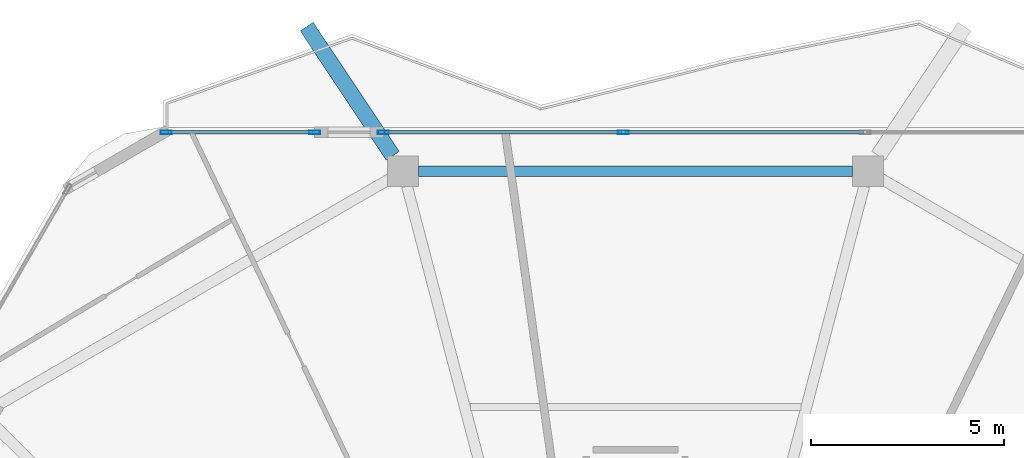
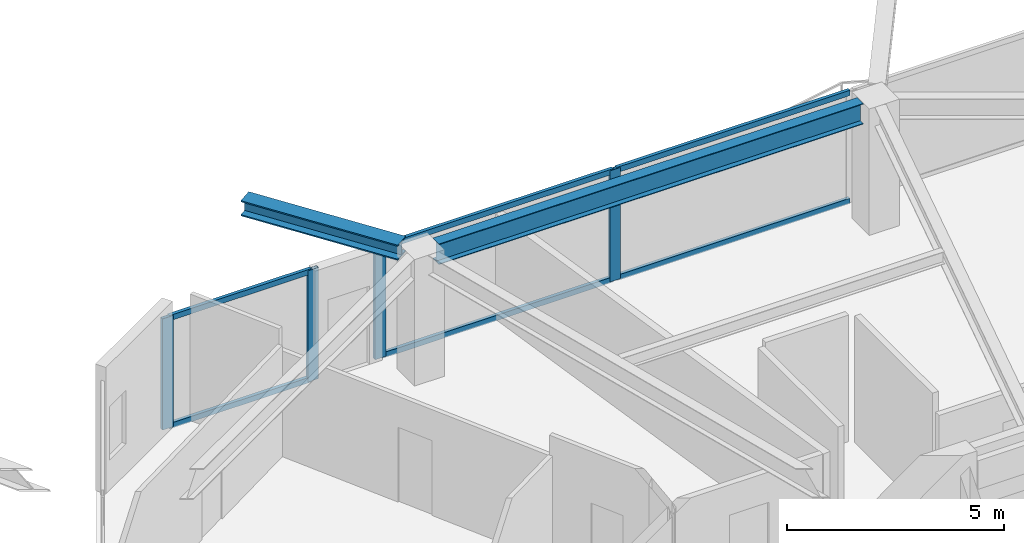
# One storey, part 10 of 20: 10 members, 2 beams, 2 elements without a shape of their own.
"""IFC4 building model written with IfcOpenShell, lengths in metres."""

from ifc_helpers import new_model, si_unit, direction, frame, origin, origin_2d, place, context, subcontext, project, spatial, hollow_rectangle, i_section, extrude, material, material_profile, profile_set, type_object, element, aggregate, save


model = new_model("IFC4")

# Units and contexts
model_context = context("Model", 3, precision=1e-05, world=origin(), true_north=direction((0.0, 1.0)))
body_context = subcontext(model_context, "Body", "Model", "MODEL_VIEW")
ifc_project = project(units=[si_unit("LENGTHUNIT", "METRE"), si_unit("AREAUNIT", "SQUARE_METRE"), si_unit("VOLUMEUNIT", "CUBIC_METRE"), si_unit("PLANEANGLEUNIT", "RADIAN"), si_unit("MASSUNIT", "GRAM", prefix="KILO")], contexts=[model_context])

# Site, building, storey
site_placement = place(None, origin())
site = spatial("IfcSite", under=ifc_project, at=site_placement, CompositionType="ELEMENT")
building_placement = place(site_placement, origin())
building = spatial("IfcBuilding", under=site, at=building_placement, Name="Zuhravey Tower", CompositionType="ELEMENT")
storey_placement = place(building_placement, frame((0.0, 0.0, 312.0)))
storey = spatial("IfcBuildingStorey", under=building, at=storey_placement, Name="L79", CompositionType="ELEMENT", Elevation=312.0)

# Curtain wall, members
ifc_material_1 = material(Name="Thermally broken anodised aluminium", Category="aluminium")
curtain_wall_type = type_object("IfcCurtainWallType", Name="Zone 3-4 High-Rise Curtain Wall CW4", PredefinedType="NOTDEFINED", material=ifc_material_1)
curtain_wall_1_placement = place(storey_placement, origin())
curtain_wall_1 = element("IfcCurtainWall", 1, at=curtain_wall_1_placement, inside=storey, type_object=curtain_wall_type, Name="L79 CW4 CW-L79-F2-1", PredefinedType="NOTDEFINED")
ifc_material_2 = material(Name="Anodised aluminium", Category="aluminium")
ifc_material_profile_1 = material_profile(ifc_material_2, hollow_rectangle(XDim=0.090087890625, YDim=0.284912109375, WallThickness=0.0048828125, at=origin_2d()), Name="ALU-RHS-90x285x5")
ifc_profile_set_1 = profile_set([ifc_material_profile_1], Name="Anodised aluminium")
member_type_1 = type_object("IfcMemberType", Name="Curtain-Wall Mullion 90x180", PredefinedType="MULLION", material=ifc_profile_set_1)
member_1_placement = place(storey_placement, frame((23.8056640625, 56.07421875, 0.0), z_axis=(0.0, 0.0, 1.0), x_axis=(0.0, 1.0, 0.0)))
member_1 = element("IfcMember", 2, at=member_1_placement, type_object=member_type_1, Name="CW4 mullion 1", PredefinedType="MULLION", context=body_context, shape_type="SweptSolid", body=[
    extrude(hollow_rectangle(XDim=0.090087890625, YDim=0.284912109375, WallThickness=0.0048828125, at=origin_2d()), origin(), (0.0, 0.0, 1.0), 3.1220703125),
])
member_2_placement = place(storey_placement, frame((27.662109375, 56.07421875, 0.0), z_axis=(0.0, 0.0, 1.0), x_axis=(0.0, 1.0, 0.0)))
member_2 = element("IfcMember", 3, at=member_2_placement, type_object=member_type_1, Name="CW4 mullion 2", PredefinedType="MULLION", context=body_context, shape_type="SweptSolid", body=[
    extrude(hollow_rectangle(XDim=0.090087890625, YDim=0.284912109375, WallThickness=0.0048828125, at=origin_2d()), origin(), (0.0, 0.0, 1.0), 3.1220703125),
])

curtain_wall_2_placement = place(storey_placement, origin())
curtain_wall_2 = element("IfcCurtainWall", 4, at=curtain_wall_2_placement, inside=storey, type_object=curtain_wall_type, Name="L79 CW4 CW-L79-F2-2", PredefinedType="NOTDEFINED")
member_3_placement = place(storey_placement, frame((29.4521484375, 56.07421875, 0.0), z_axis=(0.0, 0.0, 1.0), x_axis=(0.0, 1.0, 0.0)))
member_3 = element("IfcMember", 5, at=member_3_placement, type_object=member_type_1, Name="CW4 mullion 1", PredefinedType="MULLION", context=body_context, shape_type="SweptSolid", body=[
    extrude(hollow_rectangle(XDim=0.090087890625, YDim=0.284912109375, WallThickness=0.0048828125, at=origin_2d()), origin(), (0.0, 0.0, 1.0), 3.1220703125),
])
member_4_placement = place(storey_placement, frame((35.6845703125, 56.07421875, 0.0), z_axis=(0.0, 0.0, 1.0), x_axis=(0.0, 1.0, 0.0)))
member_4 = element("IfcMember", 6, at=member_4_placement, type_object=member_type_1, Name="CW4 mullion 2", PredefinedType="MULLION", context=body_context, shape_type="SweptSolid", body=[
    extrude(hollow_rectangle(XDim=0.090087890625, YDim=0.284912109375, WallThickness=0.0048828125, at=origin_2d()), origin(), (0.0, 0.0, 1.0), 3.1220703125),
])

# Member
ifc_material_profile_2 = material_profile(ifc_material_2, hollow_rectangle(XDim=0.090087890625, YDim=0.14990234375, WallThickness=0.0048828125, at=origin_2d()), Name="ALU-RHS-90x150x5")
ifc_profile_set_2 = profile_set([ifc_material_profile_2], Name="Anodised aluminium")
member_type_2 = type_object("IfcMemberType", Name="Curtain-Wall Transom 90x150", PredefinedType="USERDEFINED", material=ifc_profile_set_2)
member_5_placement = place(storey_placement, frame((23.8505859375, 56.07421875, 0.044921875), z_axis=(1.0, 0.0, 0.0), x_axis=(0.0, 1.0, 0.0)))
member_5 = element("IfcMember", 7, at=member_5_placement, type_object=member_type_2, Name="CW4 transom 1.1", ObjectType="TRANSOM", PredefinedType="USERDEFINED", context=body_context, shape_type="SweptSolid", body=[
    extrude(hollow_rectangle(XDim=0.090087890625, YDim=0.14990234375, WallThickness=0.0048828125, at=origin_2d()), origin(), (0.0, 0.0, 1.0), 3.7666015625),
])

member_6_placement = place(storey_placement, frame((23.8505859375, 56.07421875, 3.076904296875), z_axis=(1.0, 0.0, 0.0), x_axis=(0.0, 1.0, 0.0)))
member_6 = element("IfcMember", 8, at=member_6_placement, type_object=member_type_2, Name="CW4 transom 1.2", ObjectType="TRANSOM", PredefinedType="USERDEFINED", context=body_context, shape_type="SweptSolid", body=[
    extrude(hollow_rectangle(XDim=0.090087890625, YDim=0.14990234375, WallThickness=0.0048828125, at=origin_2d()), origin(), (0.0, 0.0, 1.0), 3.7666015625),
])

aggregate(curtain_wall_1, [member_1, member_2, member_5, member_6])

member_7_placement = place(storey_placement, frame((29.497314453125, 56.07421875, 0.044921875), z_axis=(1.0, 0.0, 0.0), x_axis=(0.0, 1.0, 0.0)))
member_7 = element("IfcMember", 9, at=member_7_placement, type_object=member_type_2, Name="CW4 transom 1.1", ObjectType="TRANSOM", PredefinedType="USERDEFINED", context=body_context, shape_type="SweptSolid", body=[
    extrude(hollow_rectangle(XDim=0.090087890625, YDim=0.14990234375, WallThickness=0.0048828125, at=origin_2d()), origin(), (0.0, 0.0, 1.0), 6.142333984375),
])

member_8_placement = place(storey_placement, frame((29.497314453125, 56.07421875, 3.076904296875), z_axis=(1.0, 0.0, 0.0), x_axis=(0.0, 1.0, 0.0)))
member_8 = element("IfcMember", 10, at=member_8_placement, type_object=member_type_2, Name="CW4 transom 1.2", ObjectType="TRANSOM", PredefinedType="USERDEFINED", context=body_context, shape_type="SweptSolid", body=[
    extrude(hollow_rectangle(XDim=0.090087890625, YDim=0.14990234375, WallThickness=0.0048828125, at=origin_2d()), origin(), (0.0, 0.0, 1.0), 6.142333984375),
])

member_9_placement = place(storey_placement, frame((35.7294921875, 56.07421875, 0.044921875), z_axis=(1.0, 0.0, 0.0), x_axis=(0.0, 1.0, 0.0)))
member_9 = element("IfcMember", 11, at=member_9_placement, type_object=member_type_2, Name="CW4 transom 2.1", ObjectType="TRANSOM", PredefinedType="USERDEFINED", context=body_context, shape_type="SweptSolid", body=[
    extrude(hollow_rectangle(XDim=0.090087890625, YDim=0.14990234375, WallThickness=0.0048828125, at=origin_2d()), origin(), (0.0, 0.0, 1.0), 6.1875),
])

member_10_placement = place(storey_placement, frame((35.7294921875, 56.07421875, 3.076904296875), z_axis=(1.0, 0.0, 0.0), x_axis=(0.0, 1.0, 0.0)))
member_10 = element("IfcMember", 12, at=member_10_placement, type_object=member_type_2, Name="CW4 transom 2.2", ObjectType="TRANSOM", PredefinedType="USERDEFINED", context=body_context, shape_type="SweptSolid", body=[
    extrude(hollow_rectangle(XDim=0.090087890625, YDim=0.14990234375, WallThickness=0.0048828125, at=origin_2d()), origin(), (0.0, 0.0, 1.0), 6.1875),
])

aggregate(curtain_wall_2, [member_3, member_4, member_7, member_8, member_9, member_10])

# Beams
ifc_material_3 = material(Name="Steel SM460", Category="steel")
ifc_material_profile_3 = material_profile(ifc_material_3, i_section(OverallWidth=0.406982421875, OverallDepth=0.427978515625, WebThickness=0.02001953125, FlangeThickness=0.034912109375, at=origin_2d()), Name="H-428x407x20x35")
ifc_profile_set_3 = profile_set([ifc_material_profile_3], Name="Steel SM460")
beam_type_1 = type_object("IfcBeamType", Name="Exoskeleton Node Tie Beam H428x407", PredefinedType="BEAM", material=ifc_profile_set_3)
beam_1_placement = place(storey_placement, frame((29.692626953125, 55.467529296875, 3.3359375), z_axis=(-0.554336643852, 0.832292547896, 0.0), x_axis=(-0.832292547896, -0.554336643852, 0.0)))
element("IfcBeam", 13, at=beam_1_placement, inside=storey, type_object=beam_type_1, Name="L79 Exoskeleton Node Tie NT1-04", PredefinedType="BEAM", context=body_context, shape_type="SweptSolid", body=[
    extrude(i_section(OverallWidth=0.406982421875, OverallDepth=0.427978515625, WebThickness=0.02001953125, FlangeThickness=0.034912109375, at=origin_2d()), origin(), (0.0, 0.0, 1.0), 4.02978515625),
])
ifc_material_4 = material(Name="Steel SM355", Category="steel")
ifc_material_profile_4 = material_profile(ifc_material_4, i_section(OverallWidth=0.280029296875, OverallDepth=0.580078125, WebThickness=0.011962890625, FlangeThickness=0.01904296875, at=origin_2d()), Name="H-580x280x12x19")
ifc_profile_set_4 = profile_set([ifc_material_profile_4], Name="Steel SM355")
beam_type_2 = type_object("IfcBeamType", Name="Perimeter Ring Beam H580x280", PredefinedType="BEAM", material=ifc_profile_set_4)
beam_2_placement = place(storey_placement, frame((41.6357421875, 55.064208984375, 3.260009765625), z_axis=(-1.0, 0.0, 0.0), x_axis=(0.0, -1.0, 0.0)))
element("IfcBeam", 14, at=beam_2_placement, inside=storey, type_object=beam_type_2, Name="L79 PB4 BM-L79-PB-03", PredefinedType="BEAM", context=body_context, shape_type="SweptSolid", body=[
    extrude(i_section(OverallWidth=0.280029296875, OverallDepth=0.580078125, WebThickness=0.011962890625, FlangeThickness=0.01904296875, at=origin_2d()), origin(), (0.0, 0.0, 1.0), 11.271484375),
])

save(model, "model.ifc")
